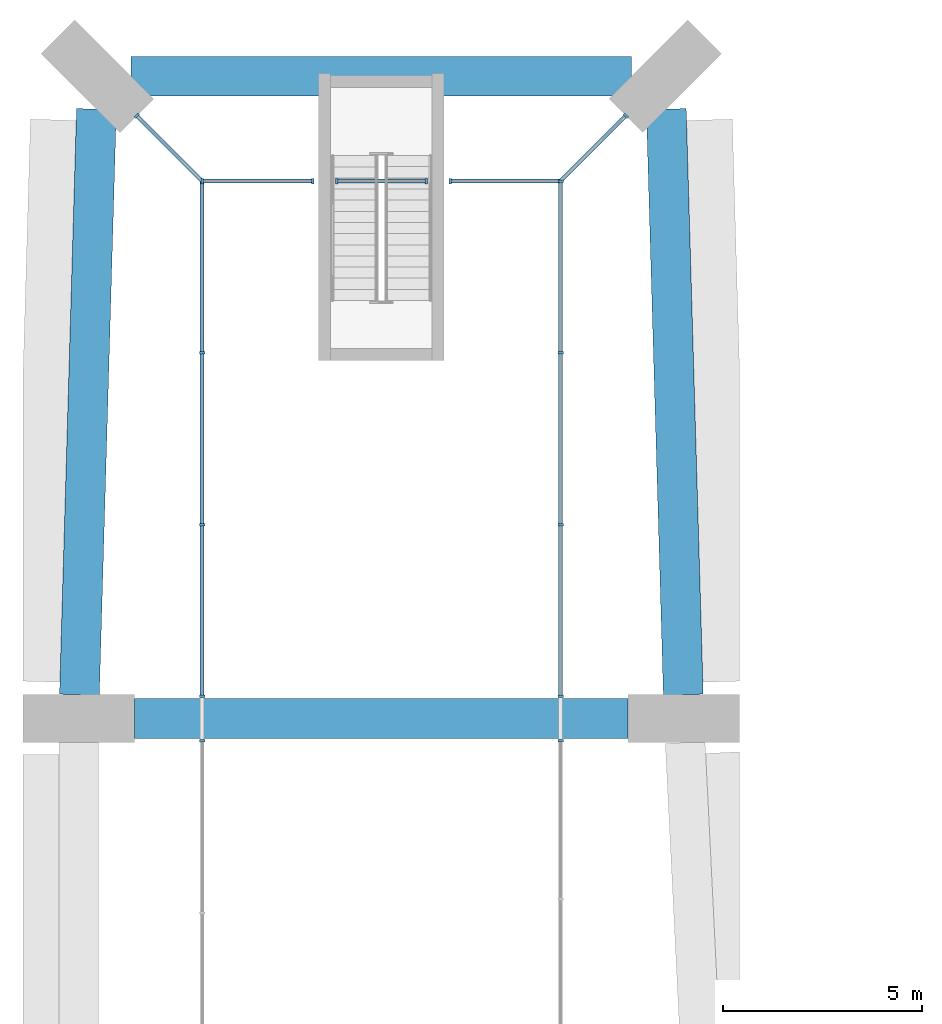
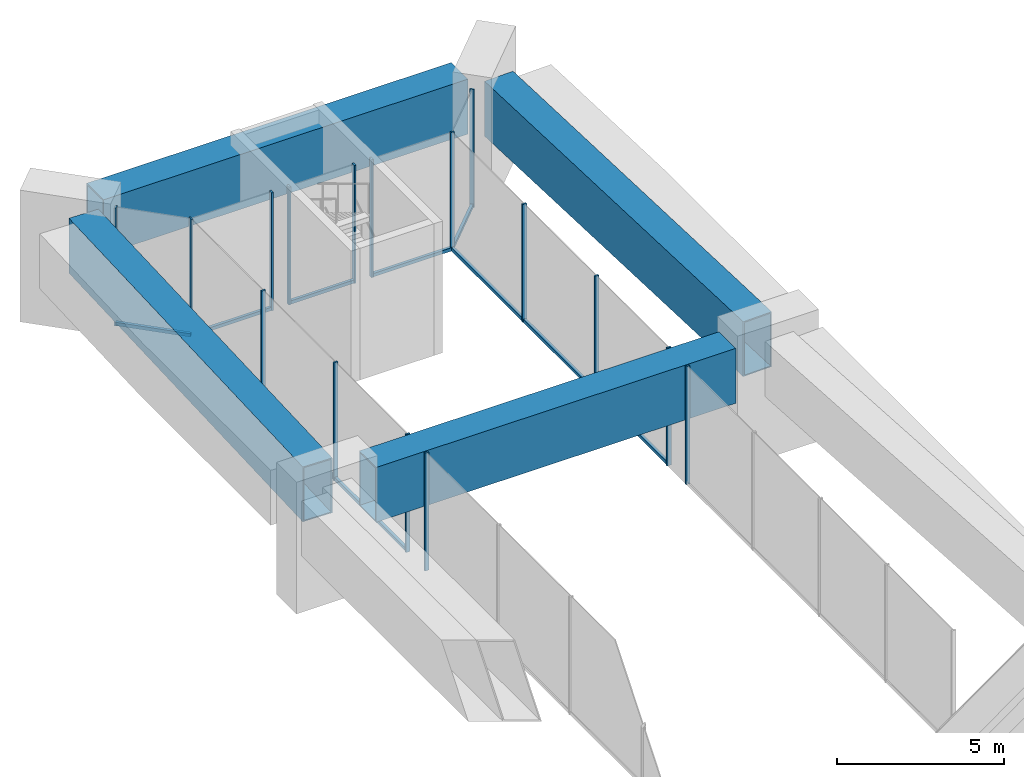
# One storey, part 7 of 13: 23 members, 4 beams, 9 elements without a shape of their own.
"""IFC4 building model written with IfcOpenShell, lengths in metres."""

from ifc_helpers import new_model, si_unit, direction, frame, origin, origin_2d, place, context, subcontext, project, spatial, rectangle, hollow_rectangle, extrude, material, layer, layer_set, material_profile, profile_set, type_object, element, aggregate, save


model = new_model("IFC4")

# Units and contexts
model_context = context("Model", 3, precision=1e-05, world=origin(), true_north=direction((0.0, 1.0)))
body_context = subcontext(model_context, "Body", "Model", "MODEL_VIEW")
ifc_project = project(units=[si_unit("LENGTHUNIT", "METRE"), si_unit("AREAUNIT", "SQUARE_METRE"), si_unit("VOLUMEUNIT", "CUBIC_METRE"), si_unit("PLANEANGLEUNIT", "RADIAN"), si_unit("MASSUNIT", "GRAM", prefix="KILO")], contexts=[model_context])

# Site, building, storey
site_placement = place(None, origin())
site = spatial("IfcSite", under=ifc_project, at=site_placement, CompositionType="ELEMENT")
building_placement = place(site_placement, origin())
building = spatial("IfcBuilding", under=site, at=building_placement, Name="Plateau Cross Towers", CompositionType="ELEMENT")
storey_placement = place(building_placement, frame((0.0, 0.0, 134.60009765625)))
storey = spatial("IfcBuildingStorey", under=building, at=storey_placement, Name="L34", CompositionType="ELEMENT", Elevation=134.60009765625)

# Curtain wall, members
ifc_material_1 = material(Name="Dark low-iron glass", Category="glass")
ifc_layer = layer(ifc_material_1, 0.239990234375)
ifc_layer_set = layer_set([ifc_layer], Name="Dark low-iron glass")
curtain_wall_type = type_object("IfcCurtainWallType", Name="Curtain wall flush unitised CW-B", PredefinedType="NOTDEFINED", material=ifc_layer_set)
curtain_wall_1_placement = place(storey_placement, origin())
curtain_wall_1 = element("IfcCurtainWall", 1, at=curtain_wall_1_placement, inside=storey, type_object=curtain_wall_type, Name="ENV/A/L34/sky45_495_73_495", PredefinedType="NOTDEFINED")
ifc_material_2 = material(Name="Black anodised aluminium", Category="aluminium")
ifc_material_profile_1 = material_profile(ifc_material_2, rectangle(XDim=0.06005859375, YDim=0.139892578125, at=origin_2d()), Name="MULLION 60x140")
ifc_profile_set_1 = profile_set([ifc_material_profile_1], Name="Black anodised aluminium")
member_type_1 = type_object("IfcMemberType", Name="Mullion 60x140 flush unitised", PredefinedType="MULLION", material=ifc_profile_set_1)
member_1_placement = place(storey_placement, frame((4.5, 49.5, 0.0), z_axis=(0.0, 0.0, 1.0), x_axis=(1.0, 0.0, 0.0)))
member_1 = element("IfcMember", 2, at=member_1_placement, type_object=member_type_1, Name="CW-B mullion 1", PredefinedType="MULLION", context=body_context, shape_type="SweptSolid", body=[
    extrude(rectangle(XDim=0.06005859375, YDim=0.139892578125, at=origin_2d()), origin(), (0.0, 0.0, 1.0), 4.2998046875),
])
member_2_placement = place(storey_placement, frame((7.27490234375, 49.5, 0.0), z_axis=(0.0, 0.0, 1.0), x_axis=(1.0, 0.0, 0.0)))
member_2 = element("IfcMember", 3, at=member_2_placement, type_object=member_type_1, Name="CW-B mullion 2", PredefinedType="MULLION", context=body_context, shape_type="SweptSolid", body=[
    extrude(rectangle(XDim=0.06005859375, YDim=0.139892578125, at=origin_2d()), origin(), (0.0, 0.0, 1.0), 4.2998046875),
])

curtain_wall_2_placement = place(storey_placement, origin())
curtain_wall_2 = element("IfcCurtainWall", 4, at=curtain_wall_2_placement, inside=storey, type_object=curtain_wall_type, Name="ENV/A/L34/sky79_495_101_495", PredefinedType="NOTDEFINED")
member_3_placement = place(storey_placement, frame((7.875, 49.5, 0.0), z_axis=(0.0, 0.0, 1.0), x_axis=(1.0, 0.0, 0.0)))
member_3 = element("IfcMember", 5, at=member_3_placement, type_object=member_type_1, Name="CW-B mullion 1", PredefinedType="MULLION", context=body_context, shape_type="SweptSolid", body=[
    extrude(rectangle(XDim=0.06005859375, YDim=0.139892578125, at=origin_2d()), origin(), (0.0, 0.0, 1.0), 4.2998046875),
])
member_4_placement = place(storey_placement, frame((10.125, 49.5, 0.0), z_axis=(0.0, 0.0, 1.0), x_axis=(1.0, 0.0, 0.0)))
member_4 = element("IfcMember", 6, at=member_4_placement, type_object=member_type_1, Name="CW-B mullion 2", PredefinedType="MULLION", context=body_context, shape_type="SweptSolid", body=[
    extrude(rectangle(XDim=0.06005859375, YDim=0.139892578125, at=origin_2d()), origin(), (0.0, 0.0, 1.0), 4.2998046875),
])

# Curtain wall, member
curtain_wall_3_placement = place(storey_placement, origin())
curtain_wall_3 = element("IfcCurtainWall", 7, at=curtain_wall_3_placement, inside=storey, type_object=curtain_wall_type, Name="ENV/A/L34/sky107_495_135_495", PredefinedType="NOTDEFINED")
member_5_placement = place(storey_placement, frame((10.72509765625, 49.5, 0.0), z_axis=(0.0, 0.0, 1.0), x_axis=(1.0, 0.0, 0.0)))
member_5 = element("IfcMember", 8, at=member_5_placement, type_object=member_type_1, Name="CW-B mullion 1", PredefinedType="MULLION", context=body_context, shape_type="SweptSolid", body=[
    extrude(rectangle(XDim=0.06005859375, YDim=0.139892578125, at=origin_2d()), origin(), (0.0, 0.0, 1.0), 4.2998046875),
])

# Curtain wall, members
curtain_wall_4_placement = place(storey_placement, origin())
curtain_wall_4 = element("IfcCurtainWall", 9, at=curtain_wall_4_placement, inside=storey, type_object=curtain_wall_type, Name="ENV/A/L34/sky135_495_135_366", PredefinedType="NOTDEFINED")
member_6_placement = place(storey_placement, frame((13.5, 49.5, 0.0), z_axis=(0.0, 0.0, 1.0), x_axis=(0.0, -1.0, 0.0)))
member_6 = element("IfcMember", 10, at=member_6_placement, type_object=member_type_1, Name="CW-B mullion 1", PredefinedType="MULLION", context=body_context, shape_type="SweptSolid", body=[
    extrude(rectangle(XDim=0.06005859375, YDim=0.139892578125, at=origin_2d()), origin(), (0.0, 0.0, 1.0), 4.2998046875),
])
member_7_placement = place(storey_placement, frame((13.5, 45.186767578125, 0.0), z_axis=(0.0, 0.0, 1.0), x_axis=(0.0, -1.0, 0.0)))
member_7 = element("IfcMember", 11, at=member_7_placement, type_object=member_type_1, Name="CW-B mullion 2", PredefinedType="MULLION", context=body_context, shape_type="SweptSolid", body=[
    extrude(rectangle(XDim=0.06005859375, YDim=0.139892578125, at=origin_2d()), origin(), (0.0, 0.0, 1.0), 4.2998046875),
])
member_8_placement = place(storey_placement, frame((13.5, 40.873291015625, 0.0), z_axis=(0.0, 0.0, 1.0), x_axis=(0.0, -1.0, 0.0)))
member_8 = element("IfcMember", 12, at=member_8_placement, type_object=member_type_1, Name="CW-B mullion 3", PredefinedType="MULLION", context=body_context, shape_type="SweptSolid", body=[
    extrude(rectangle(XDim=0.06005859375, YDim=0.139892578125, at=origin_2d()), origin(), (0.0, 0.0, 1.0), 4.2998046875),
])
member_9_placement = place(storey_placement, frame((13.5, 36.56005859375, 0.0), z_axis=(0.0, 0.0, 1.0), x_axis=(0.0, -1.0, 0.0)))
member_9 = element("IfcMember", 13, at=member_9_placement, type_object=member_type_1, Name="CW-B mullion 4", PredefinedType="MULLION", context=body_context, shape_type="SweptSolid", body=[
    extrude(rectangle(XDim=0.06005859375, YDim=0.139892578125, at=origin_2d()), origin(), (0.0, 0.0, 1.0), 4.2998046875),
])

# Curtain wall, member
curtain_wall_5_placement = place(storey_placement, origin())
curtain_wall_5 = element("IfcCurtainWall", 14, at=curtain_wall_5_placement, inside=storey, type_object=curtain_wall_type, Name="ENV/A/L34/sky135_354_135_196", PredefinedType="NOTDEFINED")
member_10_placement = place(storey_placement, frame((13.5, 35.43994140625, 0.0), z_axis=(0.0, 0.0, 1.0), x_axis=(0.0, -1.0, 0.0)))
member_10 = element("IfcMember", 15, at=member_10_placement, type_object=member_type_1, Name="CW-B mullion 1", PredefinedType="MULLION", context=body_context, shape_type="SweptSolid", body=[
    extrude(rectangle(XDim=0.06005859375, YDim=0.139892578125, at=origin_2d()), origin(), (0.0, 0.0, 1.0), 4.2998046875),
])
aggregate(curtain_wall_5, [member_10])

curtain_wall_6_placement = place(storey_placement, origin())
curtain_wall_6 = element("IfcCurtainWall", 16, at=curtain_wall_6_placement, inside=storey, type_object=curtain_wall_type, Name="ENV/A/L34/sky45_182_45_354", PredefinedType="NOTDEFINED")
member_11_placement = place(storey_placement, frame((4.5, 35.43994140625, 0.0), z_axis=(0.0, 0.0, 1.0), x_axis=(0.0, 1.0, 0.0)))
member_11 = element("IfcMember", 17, at=member_11_placement, type_object=member_type_1, Name="CW-B mullion 5", PredefinedType="MULLION", context=body_context, shape_type="SweptSolid", body=[
    extrude(rectangle(XDim=0.06005859375, YDim=0.139892578125, at=origin_2d()), origin(), (0.0, 0.0, 1.0), 4.2998046875),
])
aggregate(curtain_wall_6, [member_11])

# Curtain wall, members
curtain_wall_7_placement = place(storey_placement, origin())
curtain_wall_7 = element("IfcCurtainWall", 18, at=curtain_wall_7_placement, inside=storey, type_object=curtain_wall_type, Name="ENV/A/L34/sky45_366_45_495", PredefinedType="NOTDEFINED")
member_12_placement = place(storey_placement, frame((4.5, 36.56005859375, 0.0), z_axis=(0.0, 0.0, 1.0), x_axis=(0.0, 1.0, 0.0)))
member_12 = element("IfcMember", 19, at=member_12_placement, type_object=member_type_1, Name="CW-B mullion 1", PredefinedType="MULLION", context=body_context, shape_type="SweptSolid", body=[
    extrude(rectangle(XDim=0.06005859375, YDim=0.139892578125, at=origin_2d()), origin(), (0.0, 0.0, 1.0), 4.2998046875),
])
member_13_placement = place(storey_placement, frame((4.5, 40.873291015625, 0.0), z_axis=(0.0, 0.0, 1.0), x_axis=(0.0, 1.0, 0.0)))
member_13 = element("IfcMember", 20, at=member_13_placement, type_object=member_type_1, Name="CW-B mullion 2", PredefinedType="MULLION", context=body_context, shape_type="SweptSolid", body=[
    extrude(rectangle(XDim=0.06005859375, YDim=0.139892578125, at=origin_2d()), origin(), (0.0, 0.0, 1.0), 4.2998046875),
])
member_14_placement = place(storey_placement, frame((4.5, 45.186767578125, 0.0), z_axis=(0.0, 0.0, 1.0), x_axis=(0.0, 1.0, 0.0)))
member_14 = element("IfcMember", 21, at=member_14_placement, type_object=member_type_1, Name="CW-B mullion 3", PredefinedType="MULLION", context=body_context, shape_type="SweptSolid", body=[
    extrude(rectangle(XDim=0.06005859375, YDim=0.139892578125, at=origin_2d()), origin(), (0.0, 0.0, 1.0), 4.2998046875),
])

# Curtain wall, member
curtain_wall_8_placement = place(storey_placement, origin())
curtain_wall_8 = element("IfcCurtainWall", 22, at=curtain_wall_8_placement, inside=storey, type_object=curtain_wall_type, Name="ENV/A/L34/sky151_511_135_495", PredefinedType="NOTDEFINED")
member_15_placement = place(storey_placement, frame((15.141357421875, 51.141357421875, 0.0), z_axis=(0.0, 0.0, 1.0), x_axis=(-0.707106781187, -0.707106781187, 0.0)))
member_15 = element("IfcMember", 23, at=member_15_placement, type_object=member_type_1, Name="CW-B mullion 1", PredefinedType="MULLION", context=body_context, shape_type="SweptSolid", body=[
    extrude(rectangle(XDim=0.06005859375, YDim=0.139892578125, at=origin_2d()), origin(), (0.0, 0.0, 1.0), 4.2998046875),
])

curtain_wall_9_placement = place(storey_placement, origin())
curtain_wall_9 = element("IfcCurtainWall", 24, at=curtain_wall_9_placement, inside=storey, type_object=curtain_wall_type, Name="ENV/A/L34/sky29_511_45_495", PredefinedType="NOTDEFINED")
member_16_placement = place(storey_placement, frame((2.858642578125, 51.141357421875, 0.0), z_axis=(0.0, 0.0, 1.0), x_axis=(0.707106781187, -0.707106781187, 0.0)))
member_16 = element("IfcMember", 25, at=member_16_placement, type_object=member_type_1, Name="CW-B mullion 1", PredefinedType="MULLION", context=body_context, shape_type="SweptSolid", body=[
    extrude(rectangle(XDim=0.06005859375, YDim=0.139892578125, at=origin_2d()), origin(), (0.0, 0.0, 1.0), 4.2998046875),
])

# Beams
ifc_material_3 = material(Name="Steel S355", Category="steel")
ifc_material_profile_2 = material_profile(ifc_material_3, hollow_rectangle(XDim=1.0, YDim=2.0, WallThickness=0.0400390625, at=origin_2d()), Name="BOX 2000x1000x40")
ifc_profile_set_2 = profile_set([ifc_material_profile_2], Name="Steel S355")
beam_type_1 = type_object("IfcBeamType", Name="Sky garden cross girder BOX 2000x1000x40", PredefinedType="BEAM", material=ifc_profile_set_2)
beam_1_placement = place(storey_placement, frame((2.800048828125, 36.0, 3.2998046875), z_axis=(1.0, 0.0, 0.0), x_axis=(0.0, 1.0, 0.0)))
element("IfcBeam", 26, at=beam_1_placement, inside=storey, type_object=beam_type_1, Name="CG-2", PredefinedType="BEAM", context=body_context, shape_type="SweptSolid", body=[
    extrude(hollow_rectangle(XDim=1.0, YDim=2.0, WallThickness=0.0400390625, at=origin_2d()), origin(), (0.0, 0.0, 1.0), 12.39990234375),
])
beam_2_placement = place(storey_placement, frame((2.717041015625, 52.13134765625, 3.2998046875), z_axis=(1.0, 0.0, 0.0), x_axis=(0.0, 1.0, 0.0)))
element("IfcBeam", 27, at=beam_2_placement, inside=storey, type_object=beam_type_1, Name="CG-3", PredefinedType="BEAM", context=body_context, shape_type="SweptSolid", body=[
    extrude(hollow_rectangle(XDim=1.0, YDim=2.0, WallThickness=0.0400390625, at=origin_2d()), origin(), (0.0, 0.0, 1.0), 12.56591796875),
])
ifc_material_profile_3 = material_profile(ifc_material_3, hollow_rectangle(XDim=1.0, YDim=2.0, WallThickness=0.0400390625, at=origin_2d()), Name="BOX 2000x1000x40")
ifc_profile_set_3 = profile_set([ifc_material_profile_3], Name="Steel S355")
beam_type_2 = type_object("IfcBeamType", Name="Sky garden fascia girder BOX 2000x1000x40", PredefinedType="BEAM", material=ifc_profile_set_3)
for number, where, z_axis, x_axis, name in (
    (28, (1.41748046875, 36.60009765625, 3.2998046875), (0.029038695932, 0.999578288149, 0.0), (-0.999578288149, 0.029038695932, 0.0), "FT-W2-T1"),
    (29, (16.58251953125, 36.60009765625, 3.2998046875), (-0.029038695932, 0.999578288149, 0.0), (-0.999578288149, -0.029038695932, 0.0), "FT-E2-T1"),
):
    element("IfcBeam", number, at=place(storey_placement, frame(where, z_axis=z_axis, x_axis=x_axis)), inside=storey, type_object=beam_type_2, Name=name, PredefinedType="BEAM", context=body_context, shape_type="SweptSolid", body=[
        extrude(hollow_rectangle(XDim=1.0, YDim=2.0, WallThickness=0.0400390625, at=origin_2d()), origin(), (0.0, 0.0, 1.0), 14.712890625),
    ])

# Member
ifc_material_profile_4 = material_profile(ifc_material_2, rectangle(XDim=0.10009765625, YDim=0.1201171875, at=origin_2d()), Name="TRANSOM 100x120")
ifc_profile_set_4 = profile_set([ifc_material_profile_4], Name="Black anodised aluminium")
member_type_2 = type_object("IfcMemberType", Name="Transom 100x120 flush unitised", PredefinedType="USERDEFINED", material=ifc_profile_set_4)
member_17_placement = place(storey_placement, frame((4.5, 49.5, 0.059814453125), z_axis=(1.0, 0.0, 0.0), x_axis=(0.0, 1.0, 0.0)))
member_17 = element("IfcMember", 30, at=member_17_placement, type_object=member_type_2, Name="CW-B transom", ObjectType="TRANSOM", PredefinedType="USERDEFINED", context=body_context, shape_type="SweptSolid", body=[
    extrude(rectangle(XDim=0.10009765625, YDim=0.1201171875, at=origin_2d()), origin(), (0.0, 0.0, 1.0), 2.77490234375),
])

aggregate(curtain_wall_1, [member_1, member_2, member_17])

member_18_placement = place(storey_placement, frame((7.875, 49.5, 0.059814453125), z_axis=(1.0, 0.0, 0.0), x_axis=(0.0, 1.0, 0.0)))
member_18 = element("IfcMember", 31, at=member_18_placement, type_object=member_type_2, Name="CW-B transom", ObjectType="TRANSOM", PredefinedType="USERDEFINED", context=body_context, shape_type="SweptSolid", body=[
    extrude(rectangle(XDim=0.10009765625, YDim=0.1201171875, at=origin_2d()), origin(), (0.0, 0.0, 1.0), 2.25),
])

aggregate(curtain_wall_2, [member_3, member_4, member_18])

member_19_placement = place(storey_placement, frame((10.72509765625, 49.5, 0.059814453125), z_axis=(1.0, 0.0, 0.0), x_axis=(0.0, 1.0, 0.0)))
member_19 = element("IfcMember", 32, at=member_19_placement, type_object=member_type_2, Name="CW-B transom", ObjectType="TRANSOM", PredefinedType="USERDEFINED", context=body_context, shape_type="SweptSolid", body=[
    extrude(rectangle(XDim=0.10009765625, YDim=0.1201171875, at=origin_2d()), origin(), (0.0, 0.0, 1.0), 2.77490234375),
])

aggregate(curtain_wall_3, [member_5, member_19])

member_20_placement = place(storey_placement, frame((13.5, 49.5, 0.059814453125), z_axis=(0.0, -1.0, 0.0), x_axis=(1.0, 0.0, 0.0)))
member_20 = element("IfcMember", 33, at=member_20_placement, type_object=member_type_2, Name="CW-B transom", ObjectType="TRANSOM", PredefinedType="USERDEFINED", context=body_context, shape_type="SweptSolid", body=[
    extrude(rectangle(XDim=0.10009765625, YDim=0.1201171875, at=origin_2d()), origin(), (0.0, 0.0, 1.0), 12.93994140625),
])

aggregate(curtain_wall_4, [member_6, member_7, member_8, member_9, member_20])

member_21_placement = place(storey_placement, frame((4.5, 36.56005859375, 0.059814453125), z_axis=(0.0, 1.0, 0.0), x_axis=(-1.0, 0.0, 0.0)))
member_21 = element("IfcMember", 34, at=member_21_placement, type_object=member_type_2, Name="CW-B transom", ObjectType="TRANSOM", PredefinedType="USERDEFINED", context=body_context, shape_type="SweptSolid", body=[
    extrude(rectangle(XDim=0.10009765625, YDim=0.1201171875, at=origin_2d()), origin(), (0.0, 0.0, 1.0), 12.93994140625),
])

aggregate(curtain_wall_7, [member_12, member_13, member_14, member_21])

member_22_placement = place(storey_placement, frame((15.141357421875, 51.141357421875, 0.059814453125), z_axis=(-0.707106781187, -0.707106781187, 0.0), x_axis=(0.707106781187, -0.707106781187, 0.0)))
member_22 = element("IfcMember", 35, at=member_22_placement, type_object=member_type_2, Name="CW-B transom", ObjectType="TRANSOM", PredefinedType="USERDEFINED", context=body_context, shape_type="SweptSolid", body=[
    extrude(rectangle(XDim=0.10009765625, YDim=0.1201171875, at=origin_2d()), origin(), (0.0, 0.0, 1.0), 2.3212890625),
])

aggregate(curtain_wall_8, [member_15, member_22])

member_23_placement = place(storey_placement, frame((2.858642578125, 51.141357421875, 0.059814453125), z_axis=(0.707106781187, -0.707106781187, 0.0), x_axis=(0.707106781187, 0.707106781187, 0.0)))
member_23 = element("IfcMember", 36, at=member_23_placement, type_object=member_type_2, Name="CW-B transom", ObjectType="TRANSOM", PredefinedType="USERDEFINED", context=body_context, shape_type="SweptSolid", body=[
    extrude(rectangle(XDim=0.10009765625, YDim=0.1201171875, at=origin_2d()), origin(), (0.0, 0.0, 1.0), 2.3212890625),
])

aggregate(curtain_wall_9, [member_16, member_23])

save(model, "model.ifc")
